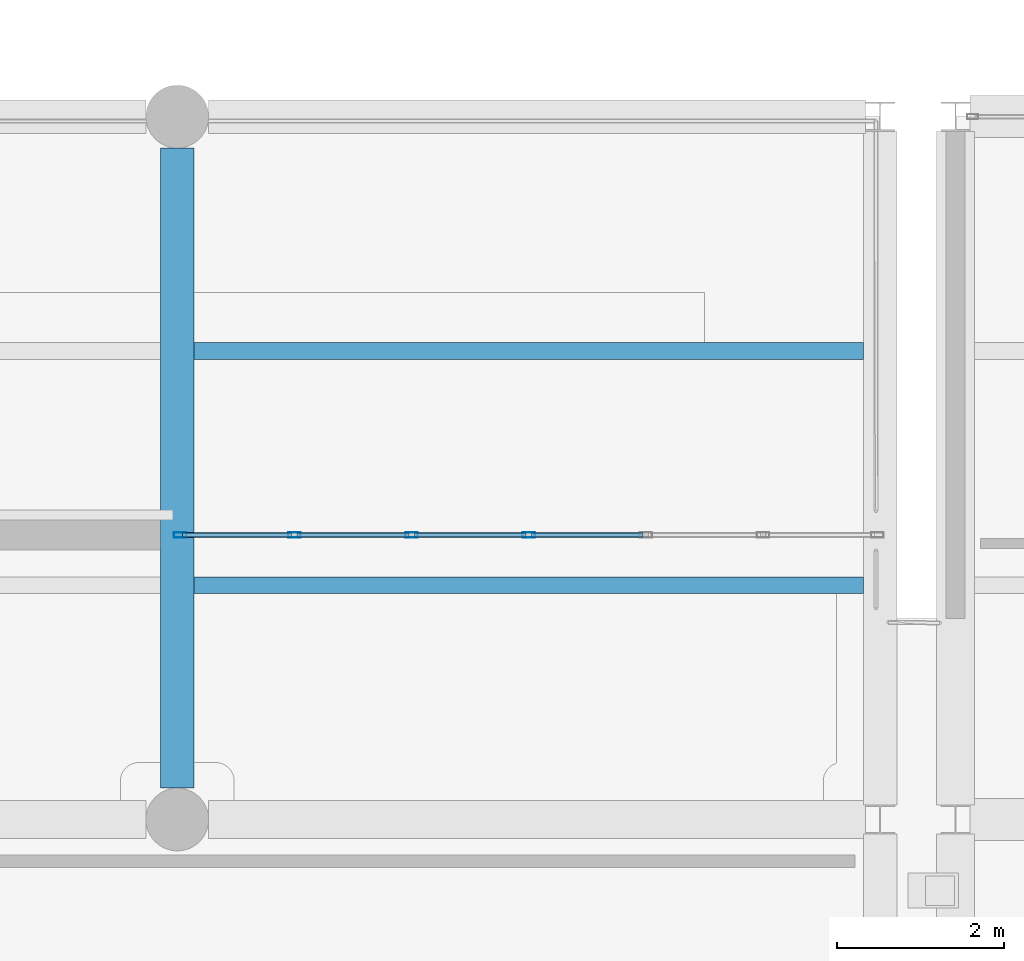
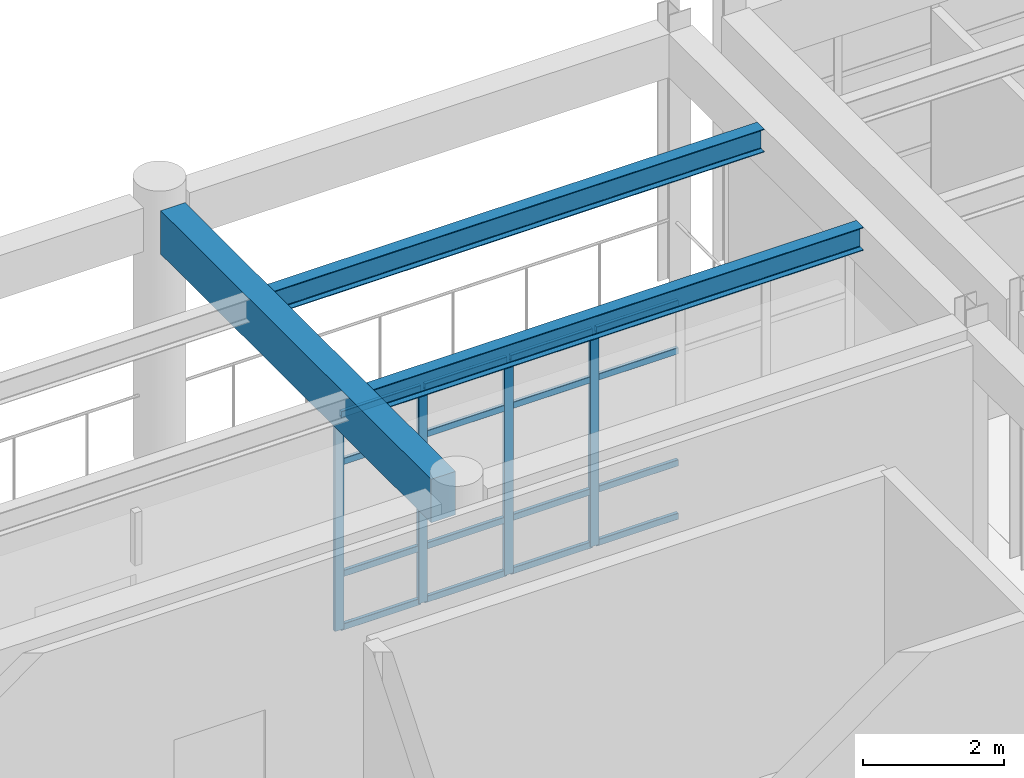
# One storey, part 13 of 139: 20 members, 3 beams, 1 element without a shape of its own.
"""IFC4 building model written with IfcOpenShell, lengths in metres."""

from ifc_helpers import new_model, si_unit, direction, frame, origin, origin_2d, place, context, subcontext, project, spatial, rectangle, hollow_rectangle, i_section, extrude, material, material_profile, profile_set, type_object, element, aggregate, save


model = new_model("IFC4")

# Units and contexts
model_context = context("Model", 3, precision=1e-05, world=origin(), true_north=direction((0.0, 1.0)))
body_context = subcontext(model_context, "Body", "Model", "MODEL_VIEW")
ifc_project = project(units=[si_unit("LENGTHUNIT", "METRE"), si_unit("AREAUNIT", "SQUARE_METRE"), si_unit("VOLUMEUNIT", "CUBIC_METRE"), si_unit("PLANEANGLEUNIT", "RADIAN"), si_unit("MASSUNIT", "GRAM", prefix="KILO")], contexts=[model_context])

# Site, building, storey
site_placement = place(None, origin())
site = spatial("IfcSite", under=ifc_project, at=site_placement, CompositionType="ELEMENT")
building_placement = place(site_placement, origin())
building = spatial("IfcBuilding", under=site, at=building_placement, Name="Canglan Escarpment Cableway Terminal", CompositionType="ELEMENT")
storey_placement = place(building_placement, frame((0.0, 0.0, 14.39990234375)))
storey = spatial("IfcBuildingStorey", under=building, at=storey_placement, Name="L03", CompositionType="ELEMENT", Elevation=14.39990234375)

# Beam
ifc_material_1 = material(Name="Concrete C40", Category="concrete")
ifc_material_profile_1 = material_profile(ifc_material_1, rectangle(XDim=0.39990234375, YDim=0.75, at=origin_2d()), Name="RC 400x750")
ifc_profile_set_1 = profile_set([ifc_material_profile_1], Name="Concrete C40")
beam_type_1 = type_object("IfcBeamType", Name="BM-RC400x750", PredefinedType="BEAM", material=ifc_profile_set_1)
beam_placement = place(storey_placement, frame((102.199951171875, 16.77490234375, 4.125), z_axis=(0.0, 1.0, 0.0), x_axis=(-1.0, 0.0, 0.0)))
element("IfcBeam", 1, at=beam_placement, inside=storey, type_object=beam_type_1, Name="Primary transverse girder B-03", PredefinedType="BEAM", context=body_context, shape_type="SweptSolid", body=[
    extrude(rectangle(XDim=0.39990234375, YDim=0.75, at=origin_2d()), origin(), (0.0, 0.0, 1.0), 7.650146484375),
])

# Curtain wall, members
ifc_material_2 = material(Name="Anodized bronze aluminium and Low-E double glazing", Category="aluminium")
curtain_wall_type = type_object("IfcCurtainWallType", Name="CW-BAY-8400x3725", PredefinedType="NOTDEFINED", material=ifc_material_2)
curtain_wall_placement = place(storey_placement, origin())
curtain_wall = element("IfcCurtainWall", 2, at=curtain_wall_placement, inside=storey, type_object=curtain_wall_type, Name="Classical bay-between-piers glazed curtain wall CW-14", PredefinedType="NOTDEFINED")
ifc_material_3 = material(Name="Thermally broken anodized aluminium 6063-T6", Category="aluminium")
ifc_material_profile_2 = material_profile(ifc_material_3, hollow_rectangle(XDim=0.06494140625, YDim=0.14990234375, WallThickness=0.00341796875, InnerFilletRadius=0.00341796875, OuterFilletRadius=0.007080078125, at=origin_2d()), Name="ALU-MULL 65x150x3.5")
ifc_profile_set_2 = profile_set([ifc_material_profile_2], Name="Thermally broken anodized aluminium 6063-T6")
member_type_1 = type_object("IfcMemberType", Name="CWM-02", PredefinedType="MULLION", material=ifc_profile_set_2)
member_1_placement = place(storey_placement, frame((106.39990234375, 19.800048828125, 0.0), z_axis=(0.0, 0.0, 1.0), x_axis=(0.0, -1.0, 0.0)))
member_1 = element("IfcMember", 3, at=member_1_placement, type_object=member_type_1, Name="CW-14 mullion 4", PredefinedType="MULLION", context=body_context, shape_type="SweptSolid", body=[
    extrude(hollow_rectangle(XDim=0.06494140625, YDim=0.14990234375, WallThickness=0.00341796875, InnerFilletRadius=0.00341796875, OuterFilletRadius=0.007080078125, at=origin_2d()), origin(), (0.0, 0.0, 1.0), 3.735107421875),
])
member_2_placement = place(storey_placement, frame((105.0, 19.800048828125, 0.0), z_axis=(0.0, 0.0, 1.0), x_axis=(0.0, -1.0, 0.0)))
member_2 = element("IfcMember", 4, at=member_2_placement, type_object=member_type_1, Name="CW-14 mullion 5", PredefinedType="MULLION", context=body_context, shape_type="SweptSolid", body=[
    extrude(hollow_rectangle(XDim=0.06494140625, YDim=0.14990234375, WallThickness=0.00341796875, InnerFilletRadius=0.00341796875, OuterFilletRadius=0.007080078125, at=origin_2d()), origin(), (0.0, 0.0, 1.0), 3.735107421875),
])
member_3_placement = place(storey_placement, frame((103.60009765625, 19.800048828125, 0.0), z_axis=(0.0, 0.0, 1.0), x_axis=(0.0, -1.0, 0.0)))
member_3 = element("IfcMember", 5, at=member_3_placement, type_object=member_type_1, Name="CW-14 mullion 6", PredefinedType="MULLION", context=body_context, shape_type="SweptSolid", body=[
    extrude(hollow_rectangle(XDim=0.06494140625, YDim=0.14990234375, WallThickness=0.00341796875, InnerFilletRadius=0.00341796875, OuterFilletRadius=0.007080078125, at=origin_2d()), origin(), (0.0, 0.0, 1.0), 3.735107421875),
])
member_4_placement = place(storey_placement, frame((102.232421875, 19.800048828125, 0.0), z_axis=(0.0, 0.0, 1.0), x_axis=(0.0, -1.0, 0.0)))
member_4 = element("IfcMember", 6, at=member_4_placement, type_object=member_type_1, Name="CW-14 mullion 7", PredefinedType="MULLION", context=body_context, shape_type="SweptSolid", body=[
    extrude(hollow_rectangle(XDim=0.06494140625, YDim=0.14990234375, WallThickness=0.00341796875, InnerFilletRadius=0.00341796875, OuterFilletRadius=0.007080078125, at=origin_2d()), origin(), (0.0, 0.0, 1.0), 3.735107421875),
])
ifc_material_profile_3 = material_profile(ifc_material_3, hollow_rectangle(XDim=0.06005859375, YDim=0.110107421875, WallThickness=0.0029296875, InnerFilletRadius=0.0029296875, OuterFilletRadius=0.006103515625, at=origin_2d()), Name="ALU-TRAN 60x110x3")
ifc_profile_set_3 = profile_set([ifc_material_profile_3], Name="Thermally broken anodized aluminium 6063-T6")
member_type_2 = type_object("IfcMemberType", Name="CWT-02", PredefinedType="USERDEFINED", material=ifc_profile_set_3)
member_5_placement = place(storey_placement, frame((107.767578125, 19.800048828125, 0.030029296875), z_axis=(-1.0, 0.0, 0.0), x_axis=(0.0, -1.0, 0.0)))
member_5 = element("IfcMember", 7, at=member_5_placement, type_object=member_type_2, Name="CW-14 transom 3.1", ObjectType="TRANSOM", PredefinedType="USERDEFINED", context=body_context, shape_type="SweptSolid", body=[
    extrude(hollow_rectangle(XDim=0.06005859375, YDim=0.110107421875, WallThickness=0.0029296875, InnerFilletRadius=0.0029296875, OuterFilletRadius=0.006103515625, at=origin_2d()), origin(), (0.0, 0.0, 1.0), 1.3349609375),
])
member_6_placement = place(storey_placement, frame((107.767578125, 19.800048828125, 0.9501953125), z_axis=(-1.0, 0.0, 0.0), x_axis=(0.0, -1.0, 0.0)))
member_6 = element("IfcMember", 8, at=member_6_placement, type_object=member_type_2, Name="CW-14 transom 3.2", ObjectType="TRANSOM", PredefinedType="USERDEFINED", context=body_context, shape_type="SweptSolid", body=[
    extrude(hollow_rectangle(XDim=0.06005859375, YDim=0.110107421875, WallThickness=0.0029296875, InnerFilletRadius=0.0029296875, OuterFilletRadius=0.006103515625, at=origin_2d()), origin(), (0.0, 0.0, 1.0), 1.3349609375),
])
member_7_placement = place(storey_placement, frame((107.767578125, 19.800048828125, 2.885009765625), z_axis=(-1.0, 0.0, 0.0), x_axis=(0.0, -1.0, 0.0)))
member_7 = element("IfcMember", 9, at=member_7_placement, type_object=member_type_2, Name="CW-14 transom 3.3", ObjectType="TRANSOM", PredefinedType="USERDEFINED", context=body_context, shape_type="SweptSolid", body=[
    extrude(hollow_rectangle(XDim=0.06005859375, YDim=0.110107421875, WallThickness=0.0029296875, InnerFilletRadius=0.0029296875, OuterFilletRadius=0.006103515625, at=origin_2d()), origin(), (0.0, 0.0, 1.0), 1.3349609375),
])
member_8_placement = place(storey_placement, frame((107.767578125, 19.800048828125, 3.705078125), z_axis=(-1.0, 0.0, 0.0), x_axis=(0.0, -1.0, 0.0)))
member_8 = element("IfcMember", 10, at=member_8_placement, type_object=member_type_2, Name="CW-14 transom 3.4", ObjectType="TRANSOM", PredefinedType="USERDEFINED", context=body_context, shape_type="SweptSolid", body=[
    extrude(hollow_rectangle(XDim=0.06005859375, YDim=0.110107421875, WallThickness=0.0029296875, InnerFilletRadius=0.0029296875, OuterFilletRadius=0.006103515625, at=origin_2d()), origin(), (0.0, 0.0, 1.0), 1.3349609375),
])
member_9_placement = place(storey_placement, frame((106.367431640625, 19.800048828125, 0.030029296875), z_axis=(-1.0, 0.0, 0.0), x_axis=(0.0, -1.0, 0.0)))
member_9 = element("IfcMember", 11, at=member_9_placement, type_object=member_type_2, Name="CW-14 transom 4.1", ObjectType="TRANSOM", PredefinedType="USERDEFINED", context=body_context, shape_type="SweptSolid", body=[
    extrude(hollow_rectangle(XDim=0.06005859375, YDim=0.110107421875, WallThickness=0.0029296875, InnerFilletRadius=0.0029296875, OuterFilletRadius=0.006103515625, at=origin_2d()), origin(), (0.0, 0.0, 1.0), 1.3349609375),
])
member_10_placement = place(storey_placement, frame((106.367431640625, 19.800048828125, 0.9501953125), z_axis=(-1.0, 0.0, 0.0), x_axis=(0.0, -1.0, 0.0)))
member_10 = element("IfcMember", 12, at=member_10_placement, type_object=member_type_2, Name="CW-14 transom 4.2", ObjectType="TRANSOM", PredefinedType="USERDEFINED", context=body_context, shape_type="SweptSolid", body=[
    extrude(hollow_rectangle(XDim=0.06005859375, YDim=0.110107421875, WallThickness=0.0029296875, InnerFilletRadius=0.0029296875, OuterFilletRadius=0.006103515625, at=origin_2d()), origin(), (0.0, 0.0, 1.0), 1.3349609375),
])
member_11_placement = place(storey_placement, frame((106.367431640625, 19.800048828125, 2.885009765625), z_axis=(-1.0, 0.0, 0.0), x_axis=(0.0, -1.0, 0.0)))
member_11 = element("IfcMember", 13, at=member_11_placement, type_object=member_type_2, Name="CW-14 transom 4.3", ObjectType="TRANSOM", PredefinedType="USERDEFINED", context=body_context, shape_type="SweptSolid", body=[
    extrude(hollow_rectangle(XDim=0.06005859375, YDim=0.110107421875, WallThickness=0.0029296875, InnerFilletRadius=0.0029296875, OuterFilletRadius=0.006103515625, at=origin_2d()), origin(), (0.0, 0.0, 1.0), 1.3349609375),
])
member_12_placement = place(storey_placement, frame((106.367431640625, 19.800048828125, 3.705078125), z_axis=(-1.0, 0.0, 0.0), x_axis=(0.0, -1.0, 0.0)))
member_12 = element("IfcMember", 14, at=member_12_placement, type_object=member_type_2, Name="CW-14 transom 4.4", ObjectType="TRANSOM", PredefinedType="USERDEFINED", context=body_context, shape_type="SweptSolid", body=[
    extrude(hollow_rectangle(XDim=0.06005859375, YDim=0.110107421875, WallThickness=0.0029296875, InnerFilletRadius=0.0029296875, OuterFilletRadius=0.006103515625, at=origin_2d()), origin(), (0.0, 0.0, 1.0), 1.3349609375),
])
member_13_placement = place(storey_placement, frame((104.967529296875, 19.800048828125, 0.030029296875), z_axis=(-1.0, 0.0, 0.0), x_axis=(0.0, -1.0, 0.0)))
member_13 = element("IfcMember", 15, at=member_13_placement, type_object=member_type_2, Name="CW-14 transom 5.1", ObjectType="TRANSOM", PredefinedType="USERDEFINED", context=body_context, shape_type="SweptSolid", body=[
    extrude(hollow_rectangle(XDim=0.06005859375, YDim=0.110107421875, WallThickness=0.0029296875, InnerFilletRadius=0.0029296875, OuterFilletRadius=0.006103515625, at=origin_2d()), origin(), (0.0, 0.0, 1.0), 1.3349609375),
])
member_14_placement = place(storey_placement, frame((104.967529296875, 19.800048828125, 0.9501953125), z_axis=(-1.0, 0.0, 0.0), x_axis=(0.0, -1.0, 0.0)))
member_14 = element("IfcMember", 16, at=member_14_placement, type_object=member_type_2, Name="CW-14 transom 5.2", ObjectType="TRANSOM", PredefinedType="USERDEFINED", context=body_context, shape_type="SweptSolid", body=[
    extrude(hollow_rectangle(XDim=0.06005859375, YDim=0.110107421875, WallThickness=0.0029296875, InnerFilletRadius=0.0029296875, OuterFilletRadius=0.006103515625, at=origin_2d()), origin(), (0.0, 0.0, 1.0), 1.3349609375),
])
member_15_placement = place(storey_placement, frame((104.967529296875, 19.800048828125, 2.885009765625), z_axis=(-1.0, 0.0, 0.0), x_axis=(0.0, -1.0, 0.0)))
member_15 = element("IfcMember", 17, at=member_15_placement, type_object=member_type_2, Name="CW-14 transom 5.3", ObjectType="TRANSOM", PredefinedType="USERDEFINED", context=body_context, shape_type="SweptSolid", body=[
    extrude(hollow_rectangle(XDim=0.06005859375, YDim=0.110107421875, WallThickness=0.0029296875, InnerFilletRadius=0.0029296875, OuterFilletRadius=0.006103515625, at=origin_2d()), origin(), (0.0, 0.0, 1.0), 1.3349609375),
])
member_16_placement = place(storey_placement, frame((104.967529296875, 19.800048828125, 3.705078125), z_axis=(-1.0, 0.0, 0.0), x_axis=(0.0, -1.0, 0.0)))
member_16 = element("IfcMember", 18, at=member_16_placement, type_object=member_type_2, Name="CW-14 transom 5.4", ObjectType="TRANSOM", PredefinedType="USERDEFINED", context=body_context, shape_type="SweptSolid", body=[
    extrude(hollow_rectangle(XDim=0.06005859375, YDim=0.110107421875, WallThickness=0.0029296875, InnerFilletRadius=0.0029296875, OuterFilletRadius=0.006103515625, at=origin_2d()), origin(), (0.0, 0.0, 1.0), 1.3349609375),
])
member_17_placement = place(storey_placement, frame((103.5673828125, 19.800048828125, 0.030029296875), z_axis=(-1.0, 0.0, 0.0), x_axis=(0.0, -1.0, 0.0)))
member_17 = element("IfcMember", 19, at=member_17_placement, type_object=member_type_2, Name="CW-14 transom 6.1", ObjectType="TRANSOM", PredefinedType="USERDEFINED", context=body_context, shape_type="SweptSolid", body=[
    extrude(hollow_rectangle(XDim=0.06005859375, YDim=0.110107421875, WallThickness=0.0029296875, InnerFilletRadius=0.0029296875, OuterFilletRadius=0.006103515625, at=origin_2d()), origin(), (0.0, 0.0, 1.0), 1.302490234375),
])
member_18_placement = place(storey_placement, frame((103.5673828125, 19.800048828125, 0.9501953125), z_axis=(-1.0, 0.0, 0.0), x_axis=(0.0, -1.0, 0.0)))
member_18 = element("IfcMember", 20, at=member_18_placement, type_object=member_type_2, Name="CW-14 transom 6.2", ObjectType="TRANSOM", PredefinedType="USERDEFINED", context=body_context, shape_type="SweptSolid", body=[
    extrude(hollow_rectangle(XDim=0.06005859375, YDim=0.110107421875, WallThickness=0.0029296875, InnerFilletRadius=0.0029296875, OuterFilletRadius=0.006103515625, at=origin_2d()), origin(), (0.0, 0.0, 1.0), 1.302490234375),
])
member_19_placement = place(storey_placement, frame((103.5673828125, 19.800048828125, 2.885009765625), z_axis=(-1.0, 0.0, 0.0), x_axis=(0.0, -1.0, 0.0)))
member_19 = element("IfcMember", 21, at=member_19_placement, type_object=member_type_2, Name="CW-14 transom 6.3", ObjectType="TRANSOM", PredefinedType="USERDEFINED", context=body_context, shape_type="SweptSolid", body=[
    extrude(hollow_rectangle(XDim=0.06005859375, YDim=0.110107421875, WallThickness=0.0029296875, InnerFilletRadius=0.0029296875, OuterFilletRadius=0.006103515625, at=origin_2d()), origin(), (0.0, 0.0, 1.0), 1.302490234375),
])
member_20_placement = place(storey_placement, frame((103.5673828125, 19.800048828125, 3.705078125), z_axis=(-1.0, 0.0, 0.0), x_axis=(0.0, -1.0, 0.0)))
member_20 = element("IfcMember", 22, at=member_20_placement, type_object=member_type_2, Name="CW-14 transom 6.4", ObjectType="TRANSOM", PredefinedType="USERDEFINED", context=body_context, shape_type="SweptSolid", body=[
    extrude(hollow_rectangle(XDim=0.06005859375, YDim=0.110107421875, WallThickness=0.0029296875, InnerFilletRadius=0.0029296875, OuterFilletRadius=0.006103515625, at=origin_2d()), origin(), (0.0, 0.0, 1.0), 1.302490234375),
])
aggregate(curtain_wall, [member_1, member_2, member_3, member_4, member_5, member_6, member_7, member_8, member_9, member_10, member_11, member_12, member_13, member_14, member_15, member_16, member_17, member_18, member_19, member_20])

# Beams
ifc_material_4 = material(Name="Steel Q355B", Category="steel")
ifc_material_profile_4 = material_profile(ifc_material_4, i_section(OverallWidth=0.199951171875, OverallDepth=0.39990234375, WebThickness=0.008056640625, FlangeThickness=0.012939453125, FilletRadius=0.01611328125, at=origin_2d()), Name="HN 400x200x8x13")
ifc_profile_set_4 = profile_set([ifc_material_profile_4], Name="Steel Q355B")
beam_type_2 = type_object("IfcBeamType", Name="JS-HN400", PredefinedType="JOIST", material=ifc_profile_set_4)
for number, where, z_axis, x_axis, name in (
    (23, (102.39990234375, 19.199951171875, 4.300048828125), (1.0, 0.0, 0.0), (0.0, 1.0, 0.0), "Secondary composite deck joist J-03"),
    (24, (102.39990234375, 22.0, 4.300048828125), (1.0, 0.0, 0.0), (0.0, 1.0, 0.0), "Secondary composite deck joist J-03"),
):
    element("IfcBeam", number, at=place(storey_placement, frame(where, z_axis=z_axis, x_axis=x_axis)), inside=storey, type_object=beam_type_2, Name=name, PredefinedType="JOIST", context=body_context, shape_type="SweptSolid", body=[
        extrude(i_section(OverallWidth=0.199951171875, OverallDepth=0.39990234375, WebThickness=0.008056640625, FlangeThickness=0.012939453125, FilletRadius=0.01611328125, at=origin_2d()), origin(), (0.0, 0.0, 1.0), 8.0),
    ])

save(model, "model.ifc")
